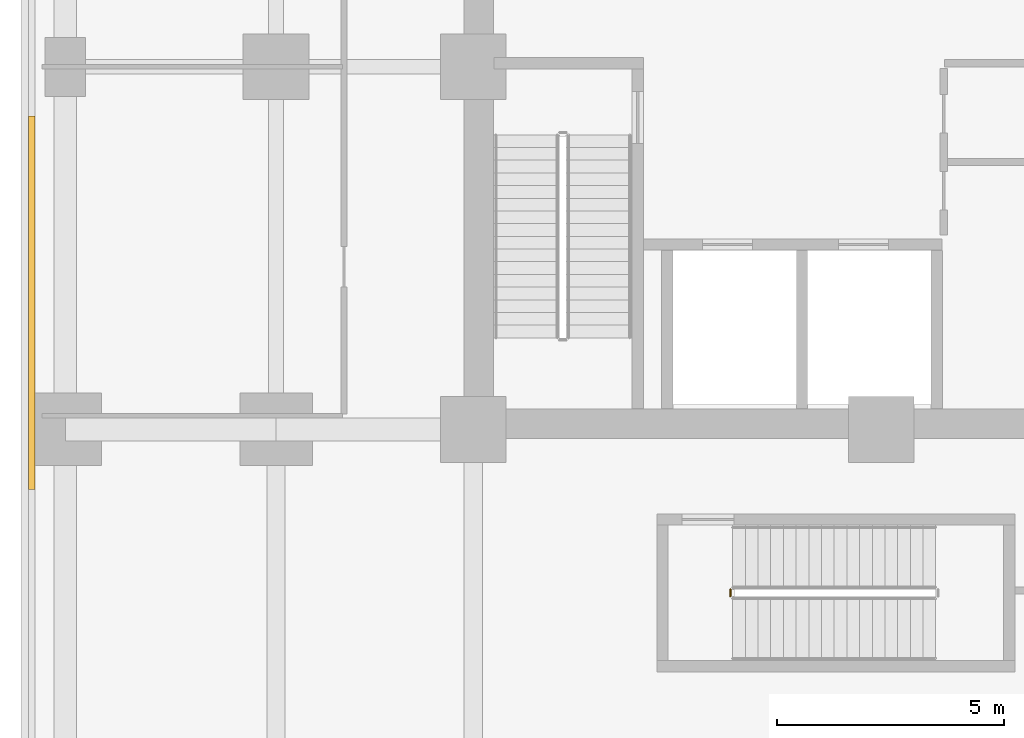
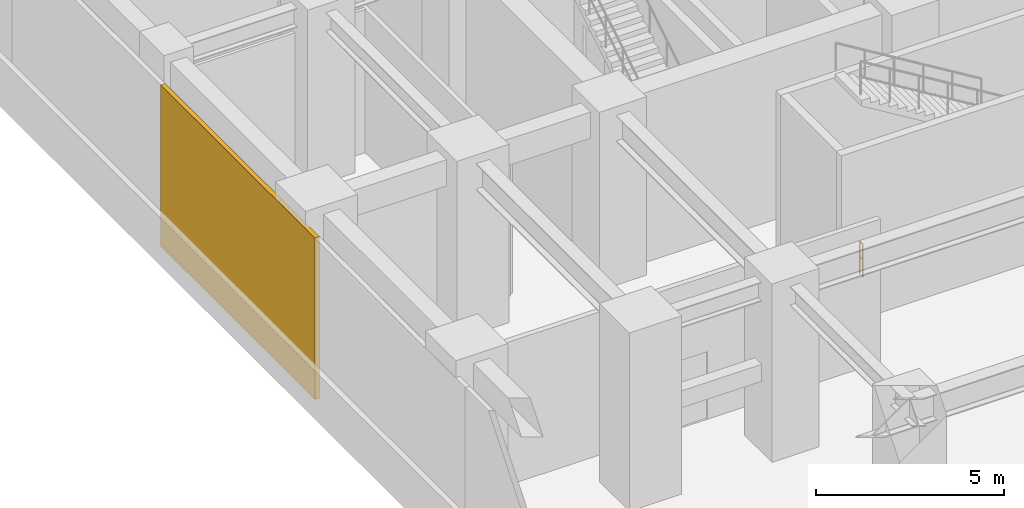
# One storey, part 7 of 12: 1 covering, 1 railing.
"""IFC4 building model written with IfcOpenShell, lengths in metres."""

import ifcopenshell
import ifcopenshell.guid

model = None  # the IFC model being written
_history = None  # IfcOwnerHistory: only IFC2X3 demands one
_inside = {}  # id of a spatial element -> (the spatial element, [elements in it])
_under = {}  # id of a project, library or spatial element -> (it, [spatial elements below it])
_declared = {}  # id of a project -> (the project, [libraries it declares])
_typed = {}  # id of a type object -> (the type object, [elements of that type])
_made_of = {}  # id of a material, layer set ... -> (it, [elements and type objects made of it])


def new_model(schema):
    """Start an empty IFC model of exactly this schema.

    Asked for "IFC4X3", IfcOpenShell would pick the latest addendum, in which some entities
    have other attributes; the version numbers below select the first issue.
    IFC2X3 requires an IfcOwnerHistory on every rooted entity: one is made here for all.
    """
    global model, _history
    if schema == "IFC4X3":
        model = ifcopenshell.file(schema_version=(4, 3, 0, 0))
    else:
        model = ifcopenshell.file(schema=schema)
    _inside.clear()
    _under.clear()
    _declared.clear()
    _typed.clear()
    _made_of.clear()
    _history = None
    if model.schema == "IFC2X3":
        org = make("IfcOrganization", Name="unknown")
        user = make(
            "IfcPersonAndOrganization",
            ThePerson=make("IfcPerson", FamilyName="unknown"),
            TheOrganization=org,
        )
        app = make(
            "IfcApplication",
            ApplicationDeveloper=org,
            Version="unknown",
            ApplicationFullName="unknown",
            ApplicationIdentifier="unknown",
        )
        _history = make(
            "IfcOwnerHistory",
            OwningUser=user,
            OwningApplication=app,
            ChangeAction="ADDED",
            CreationDate=0,
        )
    return model


def make(cls, **values):
    """One entity of the class cls with the attributes given. An attribute that is None is left unset."""
    return model.create_entity(
        cls, **{name: value for name, value in values.items() if value is not None}
    )


def rooted(cls, **values):
    """An entity with a GlobalId (a new one), such as an element, a storey or a relation."""
    return make(cls, GlobalId=ifcopenshell.guid.new(), OwnerHistory=_history, **values)


def si_unit(unit_type, name, prefix=None):
    """IfcSIUnit, for example si_unit("LENGTHUNIT", "METRE", prefix="MILLI")."""
    return make("IfcSIUnit", UnitType=unit_type, Prefix=prefix, Name=name)


def assignment(units):
    """IfcUnitAssignment: the units of a project."""
    return None if units is None else make("IfcUnitAssignment", Units=units)


def point(xyz):
    """IfcCartesianPoint."""
    return None if xyz is None else make("IfcCartesianPoint", Coordinates=xyz)


def direction(xyz):
    """IfcDirection."""
    return None if xyz is None else make("IfcDirection", DirectionRatios=xyz)


def frame(location, z_axis=None, x_axis=None):
    """IfcAxis2Placement3D, a coordinate frame: its origin and axes. An axis left out is left unset."""
    return make(
        "IfcAxis2Placement3D",
        Location=point(location),
        Axis=direction(z_axis),
        RefDirection=direction(x_axis),
    )


def frame_2d(location, x_axis=None):
    """IfcAxis2Placement2D, a coordinate frame in the plane: its origin and x axis."""
    return make(
        "IfcAxis2Placement2D", Location=point(location), RefDirection=direction(x_axis)
    )


def origin():
    """The frame at (0, 0, 0) with its axes left unset."""
    return frame((0.0, 0.0, 0.0))


def origin_2d():
    """The frame at (0, 0) in the plane with its x axis left unset."""
    return frame_2d((0.0, 0.0))


def place(relative_to, where):
    """IfcLocalPlacement: puts the frame where relative to a parent placement (None: the world)."""
    return make(
        "IfcLocalPlacement", PlacementRelTo=relative_to, RelativePlacement=where
    )


def context(
    kind, dimensions, precision=None, world=None, true_north=None, identifier=None
):
    """IfcGeometricRepresentationContext, for example the 3D "Model" context."""
    return make(
        "IfcGeometricRepresentationContext",
        ContextIdentifier=identifier,
        ContextType=kind,
        CoordinateSpaceDimension=dimensions,
        Precision=precision,
        WorldCoordinateSystem=world,
        TrueNorth=true_north,
    )


def subcontext(parent, identifier, kind, view, scale=None):
    """IfcGeometricRepresentationSubContext, for example "Body" below "Model"."""
    return make(
        "IfcGeometricRepresentationSubContext",
        ContextIdentifier=identifier,
        ContextType=kind,
        ParentContext=parent,
        TargetScale=scale,
        TargetView=view,
    )


def project(units=None, contexts=None):
    """IfcProject with its units and contexts."""
    return rooted(
        "IfcProject",
        Name="project",
        RepresentationContexts=contexts,
        UnitsInContext=assignment(units),
    )


def spatial(cls, under=None, at=None, **own):
    """A site, building, storey or space (cls), placed at a placement, below another one or the project."""
    s = rooted(cls, ObjectPlacement=at, **own)
    if under is not None:
        _under.setdefault(under.id(), (under, []))[1].append(s)
    return s


def profile(cls, at=None, kind="AREA", **sizes):
    """A parametric profile (cls). Its sizes go by their IFC names, for example OverallWidth=200.0."""
    return make(cls, ProfileType=kind, Position=at, **sizes)


def rectangle(**sizes):
    """IfcRectangleProfileDef."""
    return profile("IfcRectangleProfileDef", **sizes)


def circle(**sizes):
    """IfcCircleProfileDef."""
    return profile("IfcCircleProfileDef", **sizes)


def extrude(swept, where, along, depth):
    """IfcExtrudedAreaSolid: the profile swept, set in the frame where, extruded along a direction by depth."""
    return make(
        "IfcExtrudedAreaSolid",
        SweptArea=swept,
        Position=where,
        ExtrudedDirection=direction(along),
        Depth=depth,
    )


def shape(context_of_items, identifier, shape_type, items):
    """IfcShapeRepresentation: the items that make up one representation, for example the "Body"."""
    return make(
        "IfcShapeRepresentation",
        ContextOfItems=context_of_items,
        RepresentationIdentifier=identifier,
        RepresentationType=shape_type,
        Items=items,
    )


def source(mapping_origin, context_of_items, identifier, shape_type, items):
    """IfcRepresentationMap: a shape defined once, which mapped items show again and again."""
    return make(
        "IfcRepresentationMap",
        MappingOrigin=mapping_origin,
        MappedRepresentation=shape(context_of_items, identifier, shape_type, items),
    )


def transform(
    local_origin,
    x_axis=None,
    y_axis=None,
    z_axis=None,
    scale=None,
    scale2=None,
    scale3=None,
    uniform=True,
):
    """IfcCartesianTransformationOperator3D, or its non-uniform kind. x_axis, y_axis, z_axis: its Axis1, 2, 3."""
    if uniform:
        return make(
            "IfcCartesianTransformationOperator3D",
            Axis1=direction(x_axis),
            Axis2=direction(y_axis),
            LocalOrigin=point(local_origin),
            Scale=scale,
            Axis3=direction(z_axis),
        )
    return make(
        "IfcCartesianTransformationOperator3DnonUniform",
        Axis1=direction(x_axis),
        Axis2=direction(y_axis),
        LocalOrigin=point(local_origin),
        Scale=scale,
        Axis3=direction(z_axis),
        Scale2=scale2,
        Scale3=scale3,
    )


def mapped(mapping_source, mapping_target):
    """IfcMappedItem: shows the shape of a source again, moved by a transform."""
    return make(
        "IfcMappedItem", MappingSource=mapping_source, MappingTarget=mapping_target
    )


def material(Name=None, Category=None):
    """IfcMaterial."""
    return make("IfcMaterial", Name=Name, Category=Category)


def layer(
    of_material, thickness, ventilated=None, Name=None, Category=None, Priority=None
):
    """IfcMaterialLayer: one layer of a wall or slab, of a material (None: an air gap)."""
    return make(
        "IfcMaterialLayer",
        Material=of_material,
        LayerThickness=thickness,
        IsVentilated=ventilated,
        Name=Name,
        Category=Category,
        Priority=Priority,
    )


def layer_set(layers, Name=None):
    """IfcMaterialLayerSet."""
    return make("IfcMaterialLayerSet", MaterialLayers=layers, LayerSetName=Name)


def made_of(thing, what):
    """Note that an element or type object is made of a material, layer set ...; save() writes the relation."""
    if what is not None:
        _made_of.setdefault(what.id(), (what, []))[1].append(thing)
    return thing


def type_object(cls, material=None, **own):
    """A type object (cls), such as IfcWallType, which elements share."""
    return made_of(rooted(cls, **own), material)


def element(
    cls,
    number,
    at=None,
    inside=None,
    cuts=None,
    type_object=None,
    material=None,
    context=None,
    identifier="Body",
    shape_type=None,
    held_by="IfcProductDefinitionShape",
    body=None,
    shapes=None,
    **own,
):
    """One element of the class cls, such as IfcWall. Its Tag is "e" and its number.

    at: its placement. inside: the storey or other place that contains it. cuts: it is an
    opening in that element (IfcRelVoidsElement). A single representation is given by context,
    identifier, shape_type and body (its items); several are given by shapes. held_by: the class
    of the entity that holds the representations. save() writes the other relations.
    """
    e = rooted(cls, Tag="e%d" % number, ObjectPlacement=at, **own)
    if body is not None:
        shapes = [shape(context, identifier, shape_type, body)]
    if shapes is not None:
        e.Representation = make(held_by, Representations=shapes)
    if inside is not None:
        _inside.setdefault(inside.id(), (inside, []))[1].append(e)
    if cuts is not None:
        rooted(
            "IfcRelVoidsElement", RelatingBuildingElement=cuts, RelatedOpeningElement=e
        )
    if type_object is not None:
        _typed.setdefault(type_object.id(), (type_object, []))[1].append(e)
    return made_of(e, material)


def aggregate(whole, parts):
    """IfcRelAggregates: a whole, such as a stair, and the parts it consists of."""
    return rooted("IfcRelAggregates", RelatingObject=whole, RelatedObjects=parts)


def save(model, path):
    """Write the relations noted so far, then the file.

    IfcRelAggregates (storeys below a building ...), IfcRelContainedInSpatialStructure (elements
    in a storey), IfcRelDefinesByType, IfcRelAssociatesMaterial and IfcRelDeclares: one each for
    every whole, place, type object, material and project.
    """
    for whole, parts in _under.values():
        aggregate(whole, parts)
    for where, things in _inside.values():
        rooted(
            "IfcRelContainedInSpatialStructure",
            RelatedElements=things,
            RelatingStructure=where,
        )
    for kind, things in _typed.values():
        rooted("IfcRelDefinesByType", RelatedObjects=things, RelatingType=kind)
    for what, things in _made_of.values():
        rooted("IfcRelAssociatesMaterial", RelatedObjects=things, RelatingMaterial=what)
    for by, libraries in _declared.values():
        rooted("IfcRelDeclares", RelatingContext=by, RelatedDefinitions=libraries)
    model.write(path)


model = new_model("IFC4")

# Units and contexts
model_context = context("Model", 3, precision=1e-05, world=origin(), true_north=direction((0.0, 1.0)))
body_context = subcontext(model_context, "Body", "Model", "MODEL_VIEW")
ifc_project = project(units=[si_unit("LENGTHUNIT", "METRE"), si_unit("AREAUNIT", "SQUARE_METRE"), si_unit("VOLUMEUNIT", "CUBIC_METRE"), si_unit("PLANEANGLEUNIT", "RADIAN"), si_unit("MASSUNIT", "GRAM", prefix="KILO")], contexts=[model_context])

# Site, building, storey
site_placement = place(None, origin())
site = spatial("IfcSite", under=ifc_project, at=site_placement, CompositionType="ELEMENT")
building_placement = place(site_placement, origin())
building = spatial("IfcBuilding", under=site, at=building_placement, Name="Torre Montelarca", CompositionType="ELEMENT")
storey_placement = place(building_placement, frame((0.0, 0.0, 22.199951171875)))
storey = spatial("IfcBuildingStorey", under=building, at=storey_placement, Name="L05", CompositionType="ELEMENT", Elevation=22.199951171875)

# Railing
ifc_material_1 = material(Name="Powder-coated steel ASTM A500 Grade C", Category="steel")
railing_type = type_object("IfcRailingType", Name="RL-GUARD-1100", PredefinedType="BALUSTRADE", material=ifc_material_1)
railing_placement = place(storey_placement, frame((14.669921875, 20.320068359375, 0.0)))
element("IfcRailing", 1, at=railing_placement, inside=storey, type_object=railing_type, Name="L05 ST3 stair guard 4", PredefinedType="BALUSTRADE", context=body_context, shape_type="SweptSolid", body=[
    extrude(circle(Radius=0.02392578125, at=origin_2d()), frame((0.0, 0.0, 1.076171875), z_axis=(0.0, 1.0, 0.0), x_axis=(-1.0, 0.0, 0.0)), (0.0, 0.0, 1.0), 0.14990234375),
    extrude(circle(Radius=0.02099609375, at=origin_2d()), frame((0.0, 0.0, 0.572021484375), z_axis=(0.0, 1.0, 0.0), x_axis=(-1.0, 0.0, 0.0)), (0.0, 0.0, 1.0), 0.14990234375),
    extrude(circle(Radius=0.02099609375, at=origin_2d()), origin(), (0.0, 0.0, 1.0), 1.052001953125),
    extrude(circle(Radius=0.02099609375, at=origin_2d()), frame((0.0, 0.14990234375, 0.0)), (0.0, 0.0, 1.0), 1.052001953125),
])

# Covering
ifc_material_2 = material(Name="Bush-hammered warm white precast concrete C45/55", Category="concrete")
ifc_layer = layer(ifc_material_2, 0.139892578125, Name="Bush-hammered warm white precast concrete C45/55", Category="concrete")
ifc_layer_set = layer_set([ifc_layer], Name="Bush-hammered warm white precast concrete C45/55")
covering_type = type_object("IfcCoveringType", Name="COV-TRAY-CLAD", PredefinedType="CLADDING", material=ifc_layer_set)
shared_shape = source(origin(), body_context, "Body", "SweptSolid", [
    extrude(rectangle(XDim=8.22998046875, YDim=0.139892578125, at=origin_2d()), origin(), (0.0, 0.0, 1.0), 5.25),
])
covering_placement = place(storey_placement, frame((-0.739990234375, 26.794921875, 0.0), z_axis=(0.0, 0.0, 1.0), x_axis=(0.0, -1.0, 0.0)))
element("IfcCovering", 2, at=covering_placement, inside=storey, type_object=covering_type, Name="L05 Architectural Column Pier Cladding E10-5", PredefinedType="CLADDING", context=body_context, shape_type="MappedRepresentation", body=[
    mapped(shared_shape, transform((0.0, 0.0, 0.0), scale=1.0)),
])

save(model, "model.ifc")
